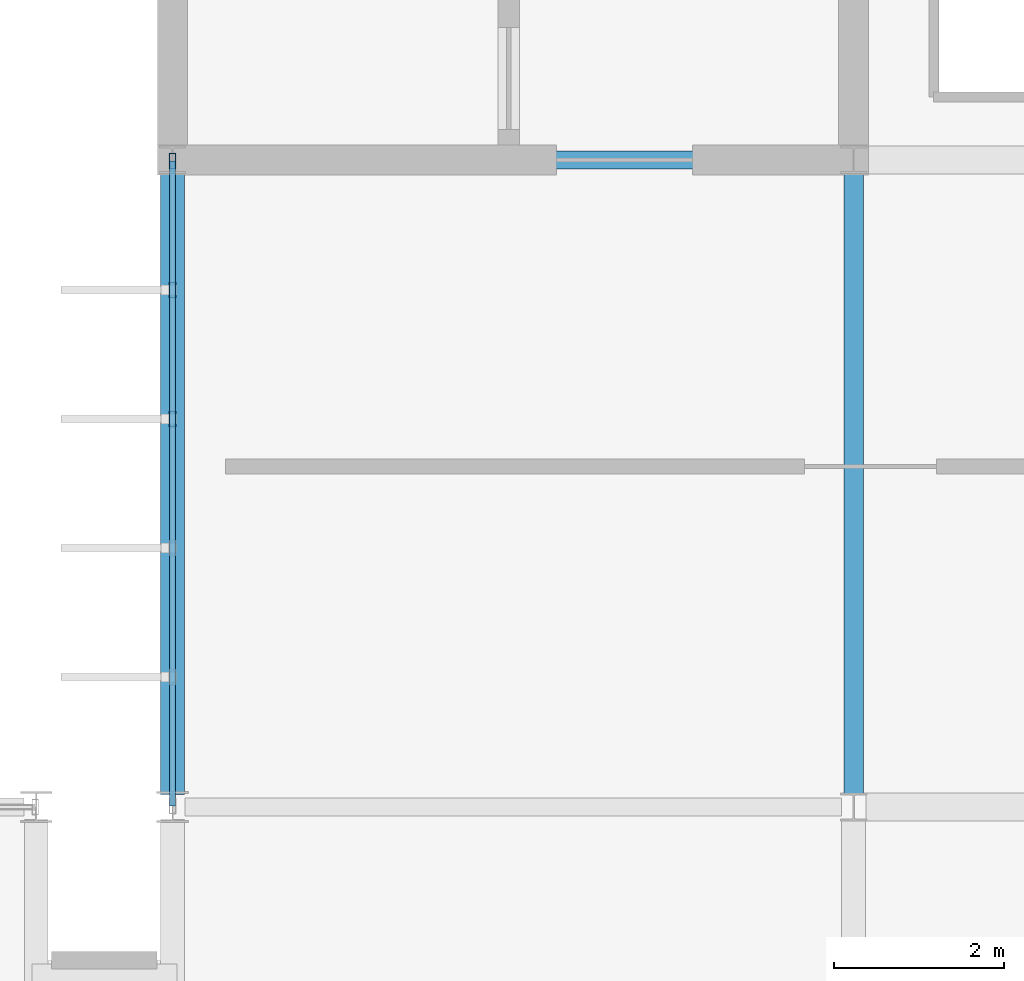
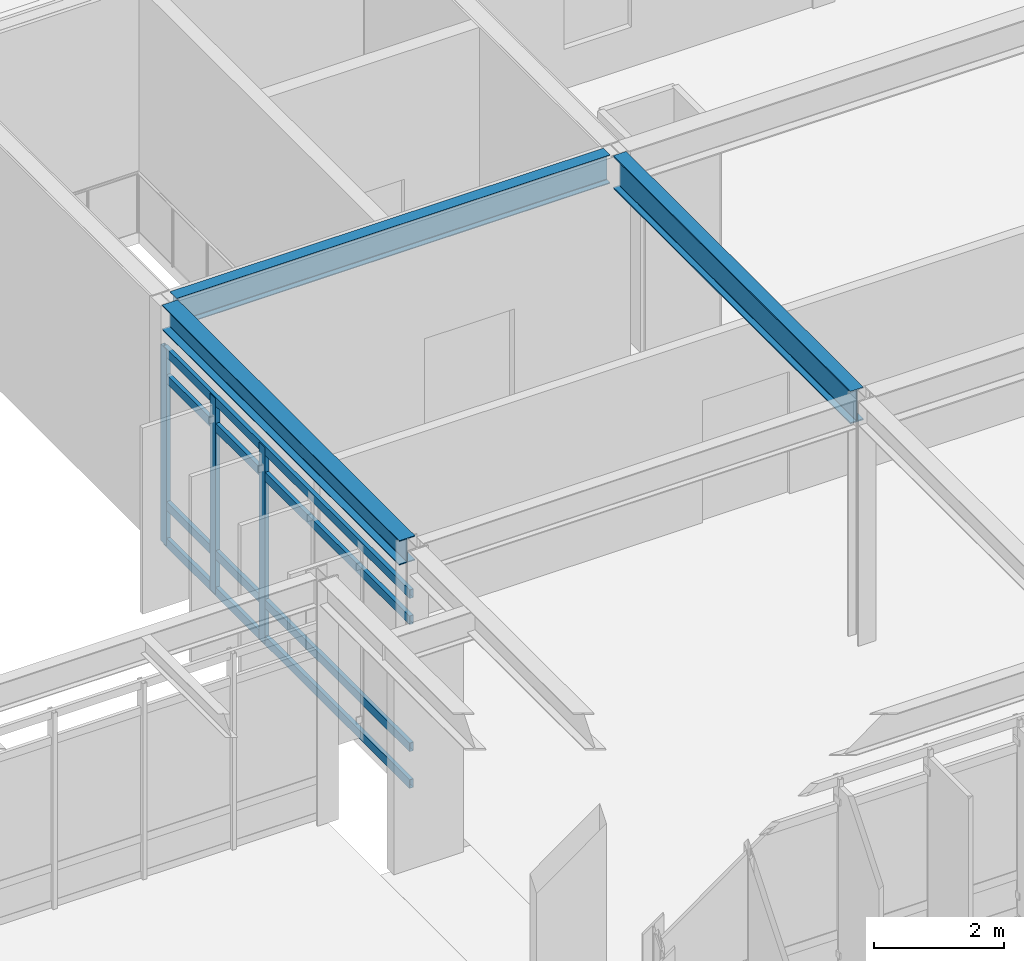
# One storey, part 40 of 100: 7 members, 3 beams, 1 element without a shape of its own.
"""IFC4 building model written with IfcOpenShell, lengths in metres."""

from ifc_helpers import new_model, si_unit, direction, frame, origin, origin_2d, place, context, subcontext, project, spatial, hollow_rectangle, i_section, extrude, material, material_profile, profile_set, type_object, element, aggregate, save


model = new_model("IFC4")

# Units and contexts
model_context = context("Model", 3, precision=1e-05, world=origin(), true_north=direction((0.0, 1.0)))
body_context = subcontext(model_context, "Body", "Model", "MODEL_VIEW")
ifc_project = project(units=[si_unit("LENGTHUNIT", "METRE"), si_unit("AREAUNIT", "SQUARE_METRE"), si_unit("VOLUMEUNIT", "CUBIC_METRE"), si_unit("PLANEANGLEUNIT", "RADIAN"), si_unit("MASSUNIT", "GRAM", prefix="KILO")], contexts=[model_context])

# Site, building, storey
site_placement = place(None, origin())
site = spatial("IfcSite", under=ifc_project, at=site_placement, CompositionType="ELEMENT")
building_placement = place(site_placement, origin())
building = spatial("IfcBuilding", under=site, at=building_placement, Name="Zulena Civic Courthouse", CompositionType="ELEMENT")
storey_placement = place(building_placement, frame((0.0, 0.0, 20.39990234375)))
storey = spatial("IfcBuildingStorey", under=building, at=storey_placement, Name="L04", CompositionType="ELEMENT", Elevation=20.39990234375)

# Curtain wall, members
ifc_material_1 = material(Name="Double-silver low-E laminated solar-control glass", Category="glass")
curtain_wall_type = type_object("IfcCurtainWallType", Name="CW_7576x3690", PredefinedType="USERDEFINED", material=ifc_material_1)
curtain_wall_placement = place(storey_placement, origin())
curtain_wall = element("IfcCurtainWall", 1, at=curtain_wall_placement, inside=storey, type_object=curtain_wall_type, Name="cw:V4:L04:0:1", ObjectType="UNITISED CURTAIN WALL", PredefinedType="USERDEFINED")
ifc_material_2 = material(Name="Bronze anodised thermally broken aluminium AA6063-T6", Category="aluminium")
ifc_material_profile_1 = material_profile(ifc_material_2, hollow_rectangle(XDim=0.074951171875, YDim=0.179931640625, WallThickness=0.0048828125, at=origin_2d()), Name="CWM180X75X5")
ifc_profile_set_1 = profile_set([ifc_material_profile_1], Name="Bronze anodised thermally broken aluminium AA6063-T6")
member_type_1 = type_object("IfcMemberType", Name="CWMullion_180x75", PredefinedType="MULLION", material=ifc_profile_set_1)
member_1_placement = place(storey_placement, frame((68.0, 27.357666015625, 0.0), z_axis=(0.0, 0.0, 1.0), x_axis=(1.0, 0.0, 0.0)))
member_1 = element("IfcMember", 2, at=member_1_placement, type_object=member_type_1, Name="cw:V4:L04:0:1:mull:3", PredefinedType="MULLION", context=body_context, shape_type="SweptSolid", body=[
    extrude(hollow_rectangle(XDim=0.074951171875, YDim=0.179931640625, WallThickness=0.0048828125, at=origin_2d()), origin(), (0.0, 0.0, 1.0), 3.690185546875),
])
member_2_placement = place(storey_placement, frame((68.0, 28.872802734375, 0.0), z_axis=(0.0, 0.0, 1.0), x_axis=(1.0, 0.0, 0.0)))
member_2 = element("IfcMember", 3, at=member_2_placement, type_object=member_type_1, Name="cw:V4:L04:0:1:mull:4", PredefinedType="MULLION", context=body_context, shape_type="SweptSolid", body=[
    extrude(hollow_rectangle(XDim=0.074951171875, YDim=0.179931640625, WallThickness=0.0048828125, at=origin_2d()), origin(), (0.0, 0.0, 1.0), 3.690185546875),
])
member_3_placement = place(storey_placement, frame((68.0, 30.387939453125, 0.0), z_axis=(0.0, 0.0, 1.0), x_axis=(1.0, 0.0, 0.0)))
member_3 = element("IfcMember", 4, at=member_3_placement, type_object=member_type_1, Name="cw:V4:L04:0:1:mull:5", PredefinedType="MULLION", context=body_context, shape_type="SweptSolid", body=[
    extrude(hollow_rectangle(XDim=0.074951171875, YDim=0.179931640625, WallThickness=0.0048828125, at=origin_2d()), origin(), (0.0, 0.0, 1.0), 3.690185546875),
])
ifc_material_profile_2 = material_profile(ifc_material_2, hollow_rectangle(XDim=0.070068359375, YDim=0.1650390625, WallThickness=0.00390625, at=origin_2d()), Name="CWT165X70X4")
ifc_profile_set_2 = profile_set([ifc_material_profile_2], Name="Bronze anodised thermally broken aluminium AA6063-T6")
member_type_2 = type_object("IfcMemberType", Name="CWTransom_165x70", PredefinedType="USERDEFINED", material=ifc_profile_set_2)
member_4_placement = place(storey_placement, frame((68.0, 22.81201171875, 0.06005859375), z_axis=(0.0, 1.0, 0.0), x_axis=(-1.0, 0.0, 0.0)))
member_4 = element("IfcMember", 5, at=member_4_placement, type_object=member_type_2, Name="cw:V4:L04:0:1:tran:0", ObjectType="TRANSOM", PredefinedType="USERDEFINED", context=body_context, shape_type="SweptSolid", body=[
    extrude(hollow_rectangle(XDim=0.070068359375, YDim=0.1650390625, WallThickness=0.00390625, at=origin_2d()), origin(), (0.0, 0.0, 1.0), 7.575927734375),
])
member_5_placement = place(storey_placement, frame((68.0, 22.81201171875, 0.75), z_axis=(0.0, 1.0, 0.0), x_axis=(-1.0, 0.0, 0.0)))
member_5 = element("IfcMember", 6, at=member_5_placement, type_object=member_type_2, Name="cw:V4:L04:0:1:tran:1", ObjectType="TRANSOM", PredefinedType="USERDEFINED", context=body_context, shape_type="SweptSolid", body=[
    extrude(hollow_rectangle(XDim=0.070068359375, YDim=0.1650390625, WallThickness=0.00390625, at=origin_2d()), origin(), (0.0, 0.0, 1.0), 7.575927734375),
])
member_6_placement = place(storey_placement, frame((68.0, 22.81201171875, 3.14013671875), z_axis=(0.0, 1.0, 0.0), x_axis=(-1.0, 0.0, 0.0)))
member_6 = element("IfcMember", 7, at=member_6_placement, type_object=member_type_2, Name="cw:V4:L04:0:1:tran:2", ObjectType="TRANSOM", PredefinedType="USERDEFINED", context=body_context, shape_type="SweptSolid", body=[
    extrude(hollow_rectangle(XDim=0.070068359375, YDim=0.1650390625, WallThickness=0.00390625, at=origin_2d()), origin(), (0.0, 0.0, 1.0), 7.575927734375),
])
member_7_placement = place(storey_placement, frame((68.0, 22.81201171875, 3.630126953125), z_axis=(0.0, 1.0, 0.0), x_axis=(-1.0, 0.0, 0.0)))
member_7 = element("IfcMember", 8, at=member_7_placement, type_object=member_type_2, Name="cw:V4:L04:0:1:tran:3", ObjectType="TRANSOM", PredefinedType="USERDEFINED", context=body_context, shape_type="SweptSolid", body=[
    extrude(hollow_rectangle(XDim=0.070068359375, YDim=0.1650390625, WallThickness=0.00390625, at=origin_2d()), origin(), (0.0, 0.0, 1.0), 7.575927734375),
])
aggregate(curtain_wall, [member_1, member_2, member_3, member_4, member_5, member_6, member_7])

# Beams
ifc_material_3 = material(Name="Steel ASTM A992 Grade 50", Category="steel")
ifc_material_profile_3 = material_profile(ifc_material_3, i_section(OverallWidth=0.22998046875, OverallDepth=0.616943359375, WebThickness=0.01318359375, FlangeThickness=0.022216796875, FilletRadius=0.0126953125, at=origin_2d()), Name="W24X94")
ifc_profile_set_3 = profile_set([ifc_material_profile_3], Name="Steel ASTM A992 Grade 50")
beam_type_1 = type_object("IfcBeamType", Name="Girder_W24X94", PredefinedType="BEAM", material=ifc_profile_set_3)
beam_1_placement = place(storey_placement, frame((76.0, 22.945068359375, 4.28662109375), z_axis=(0.0, 1.0, 0.0), x_axis=(-1.0, 0.0, 0.0)))
element("IfcBeam", 9, at=beam_1_placement, inside=storey, type_object=beam_type_1, Name="beam:Y:V4:L04:76.0:22.8_30.4", PredefinedType="BEAM", context=body_context, shape_type="SweptSolid", body=[
    extrude(i_section(OverallWidth=0.22998046875, OverallDepth=0.616943359375, WebThickness=0.01318359375, FlangeThickness=0.022216796875, FilletRadius=0.0126953125, at=origin_2d()), origin(), (0.0, 0.0, 1.0), 7.309814453125),
])
ifc_material_profile_4 = material_profile(ifc_material_3, i_section(OverallWidth=0.280029296875, OverallDepth=0.462890625, WebThickness=0.0107421875, FlangeThickness=0.017333984375, FilletRadius=0.01025390625, at=origin_2d()), Name="W18X76")
ifc_profile_set_4 = profile_set([ifc_material_profile_4], Name="Steel ASTM A992 Grade 50")
beam_type_2 = type_object("IfcBeamType", Name="Spandrel_W18X76", PredefinedType="SPANDREL", material=ifc_profile_set_4)
beam_2_placement = place(storey_placement, frame((68.0, 22.945068359375, 4.363525390625), z_axis=(0.0, 1.0, 0.0), x_axis=(-1.0, 0.0, 0.0)))
element("IfcBeam", 10, at=beam_2_placement, inside=storey, type_object=beam_type_2, Name="beam:Y:V4:L04:68.0:22.8_30.4", PredefinedType="SPANDREL", context=body_context, shape_type="SweptSolid", body=[
    extrude(i_section(OverallWidth=0.280029296875, OverallDepth=0.462890625, WebThickness=0.0107421875, FlangeThickness=0.017333984375, FilletRadius=0.01025390625, at=origin_2d()), origin(), (0.0, 0.0, 1.0), 7.309814453125),
])
ifc_material_profile_5 = material_profile(ifc_material_3, i_section(OverallWidth=0.2099609375, OverallDepth=0.537109375, WebThickness=0.010986328125, FlangeThickness=0.017333984375, FilletRadius=0.0126953125, at=origin_2d()), Name="W21X68")
ifc_profile_set_5 = profile_set([ifc_material_profile_5], Name="Steel ASTM A992 Grade 50")
beam_type_3 = type_object("IfcBeamType", Name="Spandrel_W21X68", PredefinedType="SPANDREL", material=ifc_profile_set_5)
beam_3_placement = place(storey_placement, frame((68.14501953125, 30.39990234375, 4.32666015625), z_axis=(1.0, 0.0, 0.0), x_axis=(0.0, 1.0, 0.0)))
element("IfcBeam", 11, at=beam_3_placement, inside=storey, type_object=beam_type_3, Name="beam:X:V4:L04:30.4:68.0_76.0", PredefinedType="SPANDREL", context=body_context, shape_type="SweptSolid", body=[
    extrude(i_section(OverallWidth=0.2099609375, OverallDepth=0.537109375, WebThickness=0.010986328125, FlangeThickness=0.017333984375, FilletRadius=0.0126953125, at=origin_2d()), origin(), (0.0, 0.0, 1.0), 7.7099609375),
])

save(model, "model.ifc")
